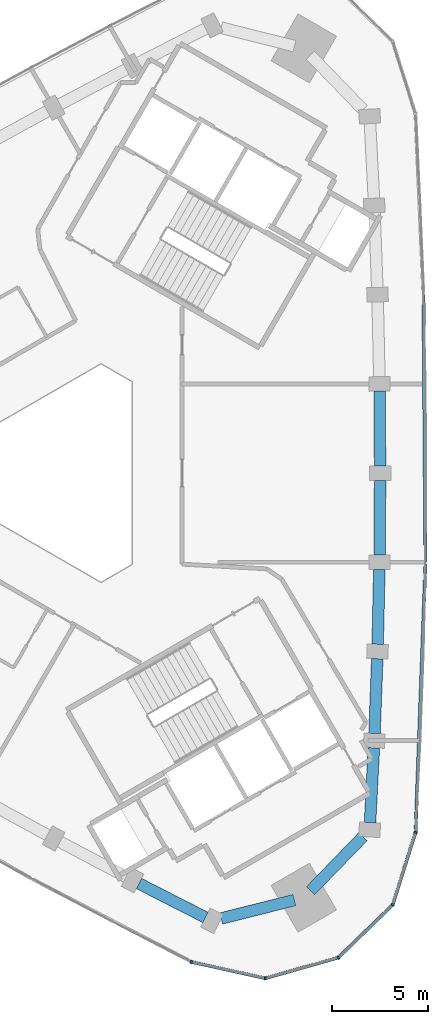
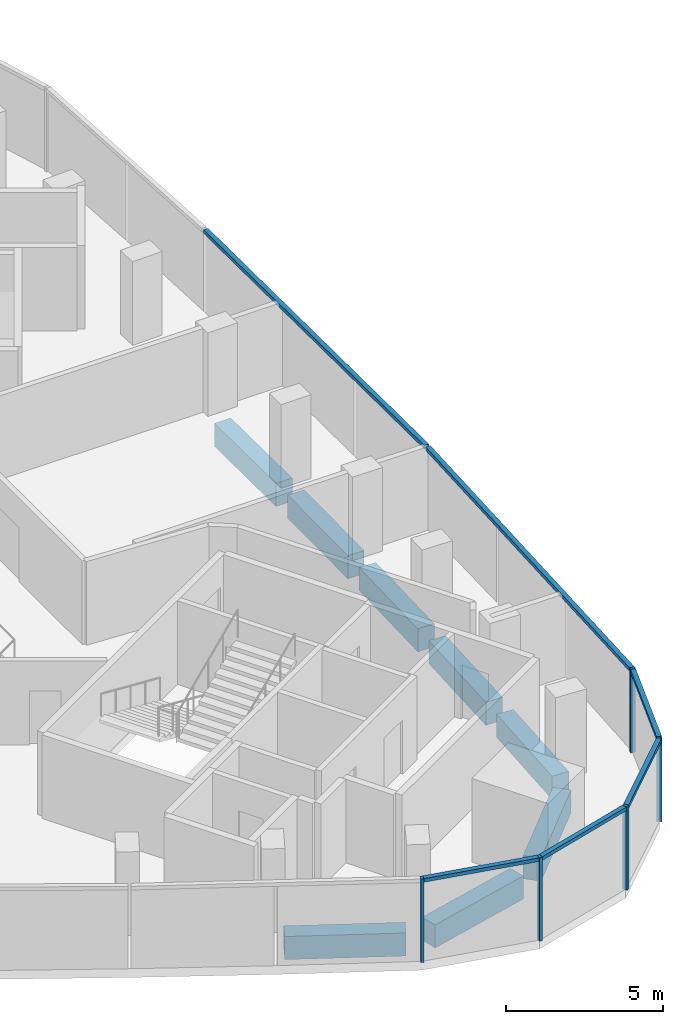
# One storey, part 3 of 11: 11 members, 8 beams, 2 elements without a shape of their own.
"""IFC4 building model written with IfcOpenShell, lengths in metres."""

from ifc_helpers import new_model, si_unit, direction, frame, origin, origin_2d, place, context, subcontext, project, spatial, rectangle, extrude, material, material_profile, profile_set, type_object, element, aggregate, save


model = new_model("IFC4")

# Units and contexts
model_context = context("Model", 3, precision=1e-05, world=origin(), true_north=direction((0.0, 1.0)))
body_context = subcontext(model_context, "Body", "Model", "MODEL_VIEW")
ifc_project = project(units=[si_unit("LENGTHUNIT", "METRE"), si_unit("AREAUNIT", "SQUARE_METRE"), si_unit("VOLUMEUNIT", "CUBIC_METRE"), si_unit("PLANEANGLEUNIT", "RADIAN"), si_unit("MASSUNIT", "GRAM", prefix="KILO")], contexts=[model_context])

# Site, building, storey
site_placement = place(None, origin())
site = spatial("IfcSite", under=ifc_project, at=site_placement, CompositionType="ELEMENT")
building_placement = place(site_placement, origin())
building = spatial("IfcBuilding", under=site, at=building_placement, Name="Tamra Quay Hotel Tower", CompositionType="ELEMENT")
storey_placement = place(building_placement, frame((0.0, 0.0, 246.60009765625)))
storey = spatial("IfcBuildingStorey", under=building, at=storey_placement, Name="L62", CompositionType="ELEMENT", Elevation=246.60009765625)

# Curtain wall, member
ifc_material_1 = material(Name="Aluminium 6063 anodised dark grey", Category="aluminium")
curtain_wall_type_1 = type_object("IfcCurtainWallType", Name="CW1 CURTAIN WALL", PredefinedType="NOTDEFINED", material=ifc_material_1)
curtain_wall_1_placement = place(storey_placement, origin())
curtain_wall_1 = element("IfcCurtainWall", 1, at=curtain_wall_1_placement, inside=storey, type_object=curtain_wall_type_1, Name="CW1 east face L62", PredefinedType="NOTDEFINED")
ifc_material_profile_1 = material_profile(ifc_material_1, rectangle(XDim=0.169921875, YDim=0.10009765625, at=origin_2d()), Name="MULLION 100X170")
ifc_profile_set_1 = profile_set([ifc_material_profile_1], Name="Aluminium 6063 anodised dark grey")
member_type_1 = type_object("IfcMemberType", Name="MULLION CW1 Z5", PredefinedType="MULLION", material=ifc_profile_set_1)
member_1_placement = place(storey_placement, frame((18.50732421875, -18.63037109375, 0.0), z_axis=(0.0, 0.0, 1.0), x_axis=(0.984105369622, -0.177585532857, 0.0)))
member_1 = element("IfcMember", 2, at=member_1_placement, type_object=member_type_1, Name="CW1 mullion L62.E.1", PredefinedType="MULLION", context=body_context, shape_type="SweptSolid", body=[
    extrude(rectangle(XDim=0.169921875, YDim=0.10009765625, at=origin_2d()), origin(), (0.0, 0.0, 1.0), 3.25),
])

# Curtain wall, members
curtain_wall_type_2 = type_object("IfcCurtainWallType", Name="CW3 CURTAIN WALL", PredefinedType="NOTDEFINED", material=ifc_material_1)
curtain_wall_2_placement = place(storey_placement, origin())
curtain_wall_2 = element("IfcCurtainWall", 3, at=curtain_wall_2_placement, inside=storey, type_object=curtain_wall_type_2, Name="CW3 south-west face L62", PredefinedType="NOTDEFINED")
ifc_material_profile_2 = material_profile(ifc_material_1, rectangle(XDim=0.169921875, YDim=0.10009765625, at=origin_2d()), Name="MULLION 100X170")
ifc_profile_set_2 = profile_set([ifc_material_profile_2], Name="Aluminium 6063 anodised dark grey")
member_type_2 = type_object("IfcMemberType", Name="MULLION CW3 Z5", PredefinedType="MULLION", material=ifc_profile_set_2)
member_2_placement = place(storey_placement, frame((6.880615234375, -25.343017578125, 0.0), z_axis=(0.0, 0.0, 1.0), x_axis=(-0.338259102012, -0.941053016522, 0.0)))
member_2 = element("IfcMember", 4, at=member_2_placement, type_object=member_type_2, Name="CW3 mullion L62.SW.9", PredefinedType="MULLION", context=body_context, shape_type="SweptSolid", body=[
    extrude(rectangle(XDim=0.169921875, YDim=0.10009765625, at=origin_2d()), origin(), (0.0, 0.0, 1.0), 3.25),
])
member_3_placement = place(storey_placement, frame((10.719970703125, -26.193359375, 0.0), z_axis=(0.0, 0.0, 1.0), x_axis=(0.029222506575, -0.999572931361, 0.0)))
member_3 = element("IfcMember", 5, at=member_3_placement, type_object=member_type_2, Name="CW3 mullion L62.SW.10", PredefinedType="MULLION", context=body_context, shape_type="SweptSolid", body=[
    extrude(rectangle(XDim=0.169921875, YDim=0.10009765625, at=origin_2d()), origin(), (0.0, 0.0, 1.0), 3.25),
])
member_4_placement = place(storey_placement, frame((14.503173828125, -25.1201171875, 0.0), z_axis=(0.0, 0.0, 1.0), x_axis=(0.5, -0.866025403784, 0.0)))
member_4 = element("IfcMember", 6, at=member_4_placement, type_object=member_type_2, Name="CW3 mullion L62.SW.11", PredefinedType="MULLION", context=body_context, shape_type="SweptSolid", body=[
    extrude(rectangle(XDim=0.169921875, YDim=0.10009765625, at=origin_2d()), origin(), (0.0, 0.0, 1.0), 3.25),
])
member_5_placement = place(storey_placement, frame((17.323974609375, -22.38037109375, 0.0), z_axis=(0.0, 0.0, 1.0), x_axis=(0.851044298206, -0.525093898736, 0.0)))
member_5 = element("IfcMember", 7, at=member_5_placement, type_object=member_type_2, Name="CW3 mullion L62.SW.12", PredefinedType="MULLION", context=body_context, shape_type="SweptSolid", body=[
    extrude(rectangle(XDim=0.169921875, YDim=0.10009765625, at=origin_2d()), origin(), (0.0, 0.0, 1.0), 3.25),
])

# Beams
ifc_material_2 = material(Name="Concrete M60", Category="concrete")
ifc_material_profile_3 = material_profile(ifc_material_2, rectangle(XDim=0.60009765625, YDim=0.89990234375, at=origin_2d()), Name="SPANDREL BEAM RC 600x900")
ifc_profile_set_3 = profile_set([ifc_material_profile_3], Name="Concrete M60")
beam_type = type_object("IfcBeamType", Name="SPANDREL BEAM RC 600x900", PredefinedType="SPANDREL", material=ifc_profile_set_3)
beam_1_placement = place(storey_placement, frame((16.144775390625, -18.116455078125, -0.800048828125), z_axis=(0.051404854824, 0.998677896471, 0.0), x_axis=(-0.998677896471, 0.051404854824, 0.0)))
element("IfcBeam", 8, at=beam_1_placement, inside=storey, type_object=beam_type, Name="BM-SP5-000-L62", PredefinedType="SPANDREL", context=body_context, shape_type="SweptSolid", body=[
    extrude(rectangle(XDim=0.60009765625, YDim=0.89990234375, at=origin_2d()), origin(), (0.0, 0.0, 1.0), 3.87548828125),
])
beam_2_placement = place(storey_placement, frame((16.377197265625, -13.496826171875, -0.800048828125), z_axis=(0.036732019634, 0.999325151657, 0.0), x_axis=(-0.999325151657, 0.036732019634, 0.0)))
element("IfcBeam", 9, at=beam_2_placement, inside=storey, type_object=beam_type, Name="BM-SP5-001-L62", PredefinedType="SPANDREL", context=body_context, shape_type="SweptSolid", body=[
    extrude(rectangle(XDim=0.60009765625, YDim=0.89990234375, at=origin_2d()), origin(), (0.0, 0.0, 1.0), 3.875),
])
beam_3_placement = place(storey_placement, frame((16.54150390625, -8.874755859375, -0.800048828125), z_axis=(0.022047440235, 0.999756925647, 0.0), x_axis=(-0.999756925647, 0.022047440235, 0.0)))
element("IfcBeam", 10, at=beam_3_placement, inside=storey, type_object=beam_type, Name="BM-SP5-002-L62", PredefinedType="SPANDREL", context=body_context, shape_type="SweptSolid", body=[
    extrude(rectangle(XDim=0.60009765625, YDim=0.89990234375, at=origin_2d()), origin(), (0.0, 0.0, 1.0), 3.875732421875),
])
for number, where, z_axis, x_axis, name in (
    (11, (16.63818359375, -4.25, -0.800048828125), (0.007308272564, 0.999973294219, 0.0), (-0.999973294219, 0.007308272564, 0.0), "BM-SP5-003-L62"),
    (12, (16.66650390625, 0.375, -0.800048828125), (-0.007308272564, 0.999973294219, 0.0), (-0.999973294219, -0.007308272564, 0.0), "BM-SP5-004-L62"),
):
    element("IfcBeam", number, at=place(storey_placement, frame(where, z_axis=z_axis, x_axis=x_axis)), inside=storey, type_object=beam_type, Name=name, PredefinedType="SPANDREL", context=body_context, shape_type="SweptSolid", body=[
        extrude(rectangle(XDim=0.60009765625, YDim=0.89990234375, at=origin_2d()), origin(), (0.0, 0.0, 1.0), 3.875),
    ])
beam_4_placement = place(storey_placement, frame((4.16552734375, -21.277587890625, -0.800048828125), z_axis=(0.890602550436, -0.454782472349, 0.0), x_axis=(0.454782472349, 0.890602550436, 0.0)))
element("IfcBeam", 13, at=beam_4_placement, inside=storey, type_object=beam_type, Name="BM-SP5-027-L62", PredefinedType="SPANDREL", context=body_context, shape_type="SweptSolid", body=[
    extrude(rectangle(XDim=0.60009765625, YDim=0.89990234375, at=origin_2d()), origin(), (0.0, 0.0, 1.0), 3.87548828125),
])
beam_5_placement = place(storey_placement, frame((8.430908203125, -23.090087890625, -0.800048828125), z_axis=(0.969848171666, 0.243709917558, 0.0), x_axis=(-0.243709917558, 0.969848171666, 0.0)))
element("IfcBeam", 14, at=beam_5_placement, inside=storey, type_object=beam_type, Name="BM-SP5-028-L62", PredefinedType="SPANDREL", context=body_context, shape_type="SweptSolid", body=[
    extrude(rectangle(XDim=0.60009765625, YDim=0.89990234375, at=origin_2d()), origin(), (0.0, 0.0, 1.0), 3.912841796875),
])
beam_6_placement = place(storey_placement, frame((13.05810546875, -21.656005859375, -0.800048828125), z_axis=(0.69594408001, 0.718095980701, 0.0), x_axis=(-0.718095980701, 0.69594408001, 0.0)))
element("IfcBeam", 15, at=beam_6_placement, inside=storey, type_object=beam_type, Name="BM-SP5-029-L62", PredefinedType="SPANDREL", context=body_context, shape_type="SweptSolid", body=[
    extrude(rectangle(XDim=0.60009765625, YDim=0.89990234375, at=origin_2d()), origin(), (0.0, 0.0, 1.0), 3.91259765625),
])

# Member
ifc_material_profile_4 = material_profile(ifc_material_1, rectangle(XDim=0.169921875, YDim=0.139892578125, at=origin_2d()), Name="TRANSOM 170X140")
ifc_profile_set_4 = profile_set([ifc_material_profile_4], Name="Aluminium 6063 anodised dark grey")
member_type_3 = type_object("IfcMemberType", Name="TRANSOM CW1 Z5", PredefinedType="USERDEFINED", material=ifc_profile_set_4)
member_6_placement = place(storey_placement, frame((18.509765625, -18.580322265625, 3.179931640625), z_axis=(0.036746859744, 0.999324606071, 0.0), x_axis=(-0.999324606071, 0.036746859744, 0.0)))
member_6 = element("IfcMember", 16, at=member_6_placement, type_object=member_type_3, Name="CW1 transom L62.E.1", ObjectType="TRANSOM", PredefinedType="USERDEFINED", context=body_context, shape_type="SweptSolid", body=[
    extrude(rectangle(XDim=0.169921875, YDim=0.139892578125, at=origin_2d()), origin(), (0.0, 0.0, 1.0), 13.87890625),
])

member_7_placement = place(storey_placement, frame((19.021240234375, -4.61083984375, 3.179931640625), z_axis=(-0.007352354434, 0.999972971077, 0.0), x_axis=(-0.999972971077, -0.007352354434, 0.0)))
member_7 = element("IfcMember", 17, at=member_7_placement, type_object=member_type_3, Name="CW1 transom L62.E.4", ObjectType="TRANSOM", PredefinedType="USERDEFINED", context=body_context, shape_type="SweptSolid", body=[
    extrude(rectangle(XDim=0.169921875, YDim=0.139892578125, at=origin_2d()), origin(), (0.0, 0.0, 1.0), 13.880126953125),
])

aggregate(curtain_wall_1, [member_1, member_6, member_7])

ifc_material_profile_5 = material_profile(ifc_material_1, rectangle(XDim=0.169921875, YDim=0.139892578125, at=origin_2d()), Name="TRANSOM 170X140")
ifc_profile_set_5 = profile_set([ifc_material_profile_5], Name="Aluminium 6063 anodised dark grey")
member_type_4 = type_object("IfcMemberType", Name="TRANSOM CW3 Z5", PredefinedType="USERDEFINED", material=ifc_profile_set_5)
member_8_placement = place(storey_placement, frame((6.929443359375, -25.353759765625, 3.179931640625), z_axis=(0.976345686568, -0.216215402598, 0.0), x_axis=(0.216215402598, 0.976345686568, 0.0)))
member_8 = element("IfcMember", 18, at=member_8_placement, type_object=member_type_4, Name="CW3 transom L62.SW.9", ObjectType="TRANSOM", PredefinedType="USERDEFINED", context=body_context, shape_type="SweptSolid", body=[
    extrude(rectangle(XDim=0.169921875, YDim=0.139892578125, at=origin_2d()), origin(), (0.0, 0.0, 1.0), 3.832275390625),
])

member_9_placement = place(storey_placement, frame((10.76806640625, -26.1796875, 3.179931640625), z_axis=(0.962041469084, 0.272903301123, 0.0), x_axis=(-0.272903301123, 0.962041469084, 0.0)))
member_9 = element("IfcMember", 19, at=member_9_placement, type_object=member_type_4, Name="CW3 transom L62.SW.10", ObjectType="TRANSOM", PredefinedType="USERDEFINED", context=body_context, shape_type="SweptSolid", body=[
    extrude(rectangle(XDim=0.169921875, YDim=0.139892578125, at=origin_2d()), origin(), (0.0, 0.0, 1.0), 3.83251953125),
])

member_10_placement = place(storey_placement, frame((14.5390625, -25.085205078125, 3.179931640625), z_axis=(0.717352155518, 0.696710761345, 0.0), x_axis=(-0.696710761345, 0.717352155518, 0.0)))
member_10 = element("IfcMember", 20, at=member_10_placement, type_object=member_type_4, Name="CW3 transom L62.SW.11", ObjectType="TRANSOM", PredefinedType="USERDEFINED", context=body_context, shape_type="SweptSolid", body=[
    extrude(rectangle(XDim=0.169921875, YDim=0.139892578125, at=origin_2d()), origin(), (0.0, 0.0, 1.0), 3.832275390625),
])

member_11_placement = place(storey_placement, frame((17.339111328125, -22.332763671875, 3.179931640625), z_axis=(0.300878302807, 0.953662543513, 0.0), x_axis=(-0.953662543513, 0.300878302807, 0.0)))
member_11 = element("IfcMember", 21, at=member_11_placement, type_object=member_type_4, Name="CW3 transom L62.SW.12", ObjectType="TRANSOM", PredefinedType="USERDEFINED", context=body_context, shape_type="SweptSolid", body=[
    extrude(rectangle(XDim=0.169921875, YDim=0.139892578125, at=origin_2d()), origin(), (0.0, 0.0, 1.0), 3.832275390625),
])

aggregate(curtain_wall_2, [member_2, member_8, member_3, member_9, member_4, member_10, member_5, member_11])

save(model, "model.ifc")
